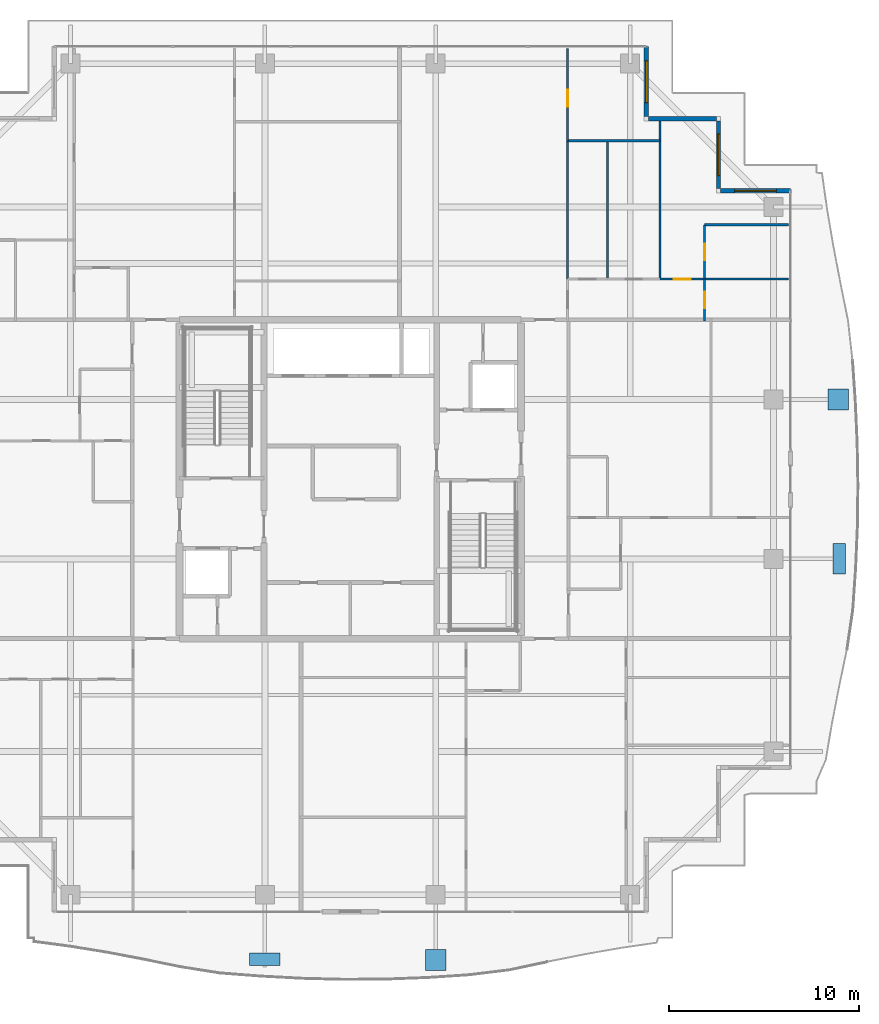
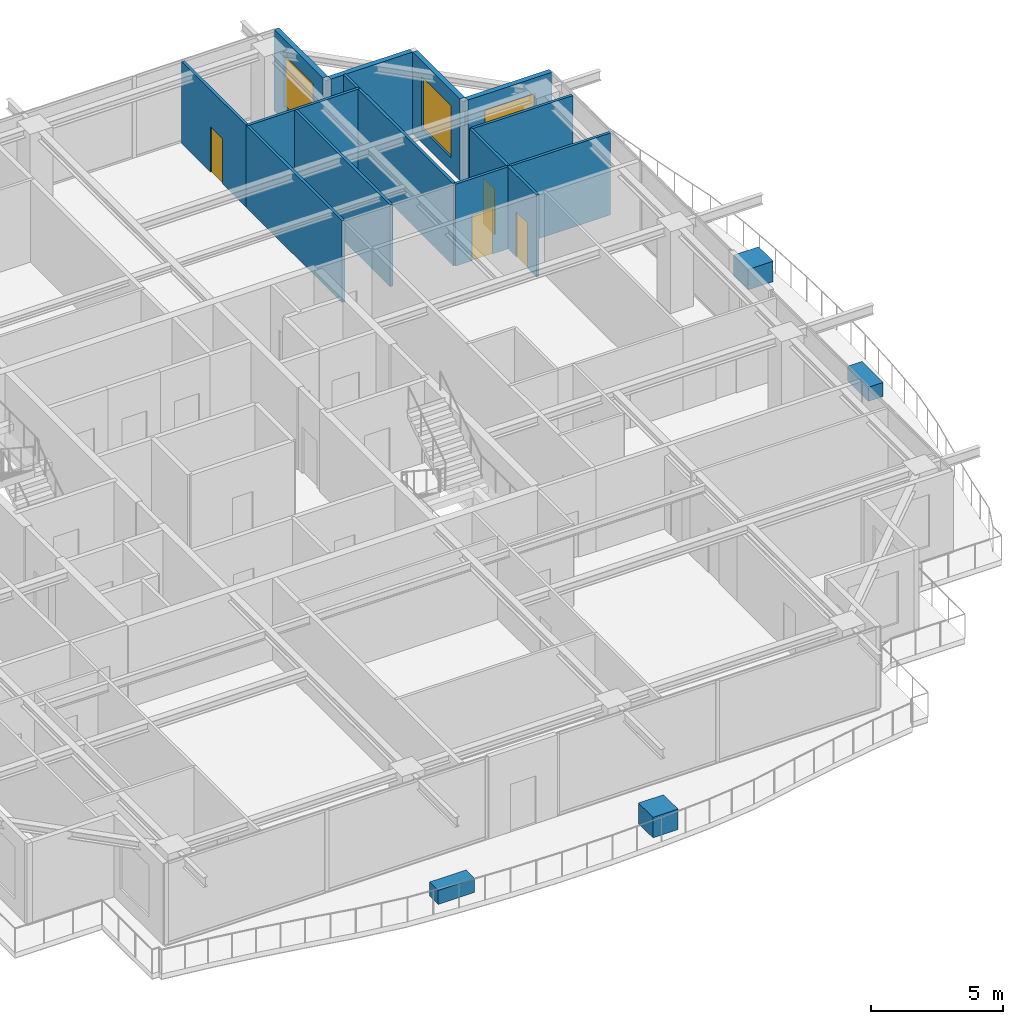
# One storey, part 35 of 42: 14 walls, 4 discrete accessories, 4 doors, 3 windows, 7 openings.
"""IFC4 building model written with IfcOpenShell, lengths in metres."""

import ifcopenshell
import ifcopenshell.guid

model = None  # the IFC model being written
_history = None  # IfcOwnerHistory: only IFC2X3 demands one
_inside = {}  # id of a spatial element -> (the spatial element, [elements in it])
_under = {}  # id of a project, library or spatial element -> (it, [spatial elements below it])
_declared = {}  # id of a project -> (the project, [libraries it declares])
_typed = {}  # id of a type object -> (the type object, [elements of that type])
_made_of = {}  # id of a material, layer set ... -> (it, [elements and type objects made of it])


def new_model(schema):
    """Start an empty IFC model of exactly this schema.

    Asked for "IFC4X3", IfcOpenShell would pick the latest addendum, in which some entities
    have other attributes; the version numbers below select the first issue.
    IFC2X3 requires an IfcOwnerHistory on every rooted entity: one is made here for all.
    """
    global model, _history
    if schema == "IFC4X3":
        model = ifcopenshell.file(schema_version=(4, 3, 0, 0))
    else:
        model = ifcopenshell.file(schema=schema)
    _inside.clear()
    _under.clear()
    _declared.clear()
    _typed.clear()
    _made_of.clear()
    _history = None
    if model.schema == "IFC2X3":
        org = make("IfcOrganization", Name="unknown")
        user = make(
            "IfcPersonAndOrganization",
            ThePerson=make("IfcPerson", FamilyName="unknown"),
            TheOrganization=org,
        )
        app = make(
            "IfcApplication",
            ApplicationDeveloper=org,
            Version="unknown",
            ApplicationFullName="unknown",
            ApplicationIdentifier="unknown",
        )
        _history = make(
            "IfcOwnerHistory",
            OwningUser=user,
            OwningApplication=app,
            ChangeAction="ADDED",
            CreationDate=0,
        )
    return model


def make(cls, **values):
    """One entity of the class cls with the attributes given. An attribute that is None is left unset."""
    return model.create_entity(
        cls, **{name: value for name, value in values.items() if value is not None}
    )


def rooted(cls, **values):
    """An entity with a GlobalId (a new one), such as an element, a storey or a relation."""
    return make(cls, GlobalId=ifcopenshell.guid.new(), OwnerHistory=_history, **values)


def si_unit(unit_type, name, prefix=None):
    """IfcSIUnit, for example si_unit("LENGTHUNIT", "METRE", prefix="MILLI")."""
    return make("IfcSIUnit", UnitType=unit_type, Prefix=prefix, Name=name)


def assignment(units):
    """IfcUnitAssignment: the units of a project."""
    return None if units is None else make("IfcUnitAssignment", Units=units)


def point(xyz):
    """IfcCartesianPoint."""
    return None if xyz is None else make("IfcCartesianPoint", Coordinates=xyz)


def direction(xyz):
    """IfcDirection."""
    return None if xyz is None else make("IfcDirection", DirectionRatios=xyz)


def frame(location, z_axis=None, x_axis=None):
    """IfcAxis2Placement3D, a coordinate frame: its origin and axes. An axis left out is left unset."""
    return make(
        "IfcAxis2Placement3D",
        Location=point(location),
        Axis=direction(z_axis),
        RefDirection=direction(x_axis),
    )


def frame_2d(location, x_axis=None):
    """IfcAxis2Placement2D, a coordinate frame in the plane: its origin and x axis."""
    return make(
        "IfcAxis2Placement2D", Location=point(location), RefDirection=direction(x_axis)
    )


def origin():
    """The frame at (0, 0, 0) with its axes left unset."""
    return frame((0.0, 0.0, 0.0))


def origin_2d():
    """The frame at (0, 0) in the plane with its x axis left unset."""
    return frame_2d((0.0, 0.0))


def place(relative_to, where):
    """IfcLocalPlacement: puts the frame where relative to a parent placement (None: the world)."""
    return make(
        "IfcLocalPlacement", PlacementRelTo=relative_to, RelativePlacement=where
    )


def context(
    kind, dimensions, precision=None, world=None, true_north=None, identifier=None
):
    """IfcGeometricRepresentationContext, for example the 3D "Model" context."""
    return make(
        "IfcGeometricRepresentationContext",
        ContextIdentifier=identifier,
        ContextType=kind,
        CoordinateSpaceDimension=dimensions,
        Precision=precision,
        WorldCoordinateSystem=world,
        TrueNorth=true_north,
    )


def subcontext(parent, identifier, kind, view, scale=None):
    """IfcGeometricRepresentationSubContext, for example "Body" below "Model"."""
    return make(
        "IfcGeometricRepresentationSubContext",
        ContextIdentifier=identifier,
        ContextType=kind,
        ParentContext=parent,
        TargetScale=scale,
        TargetView=view,
    )


def project(units=None, contexts=None):
    """IfcProject with its units and contexts."""
    return rooted(
        "IfcProject",
        Name="project",
        RepresentationContexts=contexts,
        UnitsInContext=assignment(units),
    )


def spatial(cls, under=None, at=None, **own):
    """A site, building, storey or space (cls), placed at a placement, below another one or the project."""
    s = rooted(cls, ObjectPlacement=at, **own)
    if under is not None:
        _under.setdefault(under.id(), (under, []))[1].append(s)
    return s


def profile(cls, at=None, kind="AREA", **sizes):
    """A parametric profile (cls). Its sizes go by their IFC names, for example OverallWidth=200.0."""
    return make(cls, ProfileType=kind, Position=at, **sizes)


def rectangle(**sizes):
    """IfcRectangleProfileDef."""
    return profile("IfcRectangleProfileDef", **sizes)


def extrude(swept, where, along, depth):
    """IfcExtrudedAreaSolid: the profile swept, set in the frame where, extruded along a direction by depth."""
    return make(
        "IfcExtrudedAreaSolid",
        SweptArea=swept,
        Position=where,
        ExtrudedDirection=direction(along),
        Depth=depth,
    )


def shape(context_of_items, identifier, shape_type, items):
    """IfcShapeRepresentation: the items that make up one representation, for example the "Body"."""
    return make(
        "IfcShapeRepresentation",
        ContextOfItems=context_of_items,
        RepresentationIdentifier=identifier,
        RepresentationType=shape_type,
        Items=items,
    )


def source(mapping_origin, context_of_items, identifier, shape_type, items):
    """IfcRepresentationMap: a shape defined once, which mapped items show again and again."""
    return make(
        "IfcRepresentationMap",
        MappingOrigin=mapping_origin,
        MappedRepresentation=shape(context_of_items, identifier, shape_type, items),
    )


def transform(
    local_origin,
    x_axis=None,
    y_axis=None,
    z_axis=None,
    scale=None,
    scale2=None,
    scale3=None,
    uniform=True,
):
    """IfcCartesianTransformationOperator3D, or its non-uniform kind. x_axis, y_axis, z_axis: its Axis1, 2, 3."""
    if uniform:
        return make(
            "IfcCartesianTransformationOperator3D",
            Axis1=direction(x_axis),
            Axis2=direction(y_axis),
            LocalOrigin=point(local_origin),
            Scale=scale,
            Axis3=direction(z_axis),
        )
    return make(
        "IfcCartesianTransformationOperator3DnonUniform",
        Axis1=direction(x_axis),
        Axis2=direction(y_axis),
        LocalOrigin=point(local_origin),
        Scale=scale,
        Axis3=direction(z_axis),
        Scale2=scale2,
        Scale3=scale3,
    )


def mapped(mapping_source, mapping_target):
    """IfcMappedItem: shows the shape of a source again, moved by a transform."""
    return make(
        "IfcMappedItem", MappingSource=mapping_source, MappingTarget=mapping_target
    )


def material(Name=None, Category=None):
    """IfcMaterial."""
    return make("IfcMaterial", Name=Name, Category=Category)


def layer(
    of_material, thickness, ventilated=None, Name=None, Category=None, Priority=None
):
    """IfcMaterialLayer: one layer of a wall or slab, of a material (None: an air gap)."""
    return make(
        "IfcMaterialLayer",
        Material=of_material,
        LayerThickness=thickness,
        IsVentilated=ventilated,
        Name=Name,
        Category=Category,
        Priority=Priority,
    )


def layer_set(layers, Name=None):
    """IfcMaterialLayerSet."""
    return make("IfcMaterialLayerSet", MaterialLayers=layers, LayerSetName=Name)


def made_of(thing, what):
    """Note that an element or type object is made of a material, layer set ...; save() writes the relation."""
    if what is not None:
        _made_of.setdefault(what.id(), (what, []))[1].append(thing)
    return thing


def type_object(cls, material=None, **own):
    """A type object (cls), such as IfcWallType, which elements share."""
    return made_of(rooted(cls, **own), material)


def element(
    cls,
    number,
    at=None,
    inside=None,
    cuts=None,
    type_object=None,
    material=None,
    context=None,
    identifier="Body",
    shape_type=None,
    held_by="IfcProductDefinitionShape",
    body=None,
    shapes=None,
    **own,
):
    """One element of the class cls, such as IfcWall. Its Tag is "e" and its number.

    at: its placement. inside: the storey or other place that contains it. cuts: it is an
    opening in that element (IfcRelVoidsElement). A single representation is given by context,
    identifier, shape_type and body (its items); several are given by shapes. held_by: the class
    of the entity that holds the representations. save() writes the other relations.
    """
    e = rooted(cls, Tag="e%d" % number, ObjectPlacement=at, **own)
    if body is not None:
        shapes = [shape(context, identifier, shape_type, body)]
    if shapes is not None:
        e.Representation = make(held_by, Representations=shapes)
    if inside is not None:
        _inside.setdefault(inside.id(), (inside, []))[1].append(e)
    if cuts is not None:
        rooted(
            "IfcRelVoidsElement", RelatingBuildingElement=cuts, RelatedOpeningElement=e
        )
    if type_object is not None:
        _typed.setdefault(type_object.id(), (type_object, []))[1].append(e)
    return made_of(e, material)


def fill(opening, filler):
    """IfcRelFillsElement: the door or window that sits in an opening."""
    return rooted(
        "IfcRelFillsElement",
        RelatingOpeningElement=opening,
        RelatedBuildingElement=filler,
    )


def aggregate(whole, parts):
    """IfcRelAggregates: a whole, such as a stair, and the parts it consists of."""
    return rooted("IfcRelAggregates", RelatingObject=whole, RelatedObjects=parts)


def save(model, path):
    """Write the relations noted so far, then the file.

    IfcRelAggregates (storeys below a building ...), IfcRelContainedInSpatialStructure (elements
    in a storey), IfcRelDefinesByType, IfcRelAssociatesMaterial and IfcRelDeclares: one each for
    every whole, place, type object, material and project.
    """
    for whole, parts in _under.values():
        aggregate(whole, parts)
    for where, things in _inside.values():
        rooted(
            "IfcRelContainedInSpatialStructure",
            RelatedElements=things,
            RelatingStructure=where,
        )
    for kind, things in _typed.values():
        rooted("IfcRelDefinesByType", RelatedObjects=things, RelatingType=kind)
    for what, things in _made_of.values():
        rooted("IfcRelAssociatesMaterial", RelatedObjects=things, RelatingMaterial=what)
    for by, libraries in _declared.values():
        rooted("IfcRelDeclares", RelatingContext=by, RelatedDefinitions=libraries)
    model.write(path)


model = new_model("IFC4")

# Units and contexts
model_context = context("Model", 3, precision=1e-05, world=origin(), true_north=direction((0.0, 1.0)))
body_context = subcontext(model_context, "Body", "Model", "MODEL_VIEW")
ifc_project = project(units=[si_unit("LENGTHUNIT", "METRE"), si_unit("AREAUNIT", "SQUARE_METRE"), si_unit("VOLUMEUNIT", "CUBIC_METRE"), si_unit("PLANEANGLEUNIT", "RADIAN"), si_unit("MASSUNIT", "GRAM", prefix="KILO")], contexts=[model_context])

# Site, building, storey
site_placement = place(None, origin())
site = spatial("IfcSite", under=ifc_project, at=site_placement, CompositionType="ELEMENT")
building_placement = place(site_placement, origin())
building = spatial("IfcBuilding", under=site, at=building_placement, Name="Serunith Strait Residences", CompositionType="ELEMENT")
storey_placement = place(building_placement, frame((0.0, 0.0, 297.5)))
storey = spatial("IfcBuildingStorey", under=building, at=storey_placement, Name="L74", CompositionType="ELEMENT", Elevation=297.5)

# Wall, opening, window
ifc_material_1 = material(Name="Pale-Champagne Aluminium Insulated Panel", Category="aluminium")
ifc_layer_1 = layer(ifc_material_1, 0.219970703125, Name="Pale-Champagne Aluminium Insulated Panel")
ifc_layer_set_1 = layer_set([ifc_layer_1], Name="Pale-Champagne Aluminium Insulated Panel")
wall_type_1 = type_object("IfcWallType", Name="EW-ALUM-220", PredefinedType="ELEMENTEDWALL", material=ifc_layer_set_1)
wall_1_placement = place(storey_placement, frame((55.60009765625, 40.39990234375, 0.0), z_axis=(0.0, 0.0, 1.0), x_axis=(-1.0, 0.0, 0.0)))
wall_1 = element("IfcWall", 1, at=wall_1_placement, inside=storey, type_object=wall_type_1, Name="L74 Girih Serrated Corner Wall 07", PredefinedType="ELEMENTEDWALL", context=body_context, shape_type="SweptSolid", body=[
    extrude(rectangle(XDim=3.690185546875, YDim=0.219970703125, at=frame_2d((1.84521484375, 0.0))), origin(), (0.0, 0.0, 1.0), 3.77490234375),
])
opening_1_placement = place(wall_1_placement, frame((0.7451171875, 0.0, 0.64990234375)))
opening_1 = element("IfcOpeningElement", 2, at=opening_1_placement, cuts=wall_1, Name="Opening W-06", PredefinedType="OPENING", context=body_context, shape_type="SweptSolid", body=[
    extrude(rectangle(XDim=2.199951171875, YDim=2.39990234375, at=frame_2d((1.10009765625, 1.199951171875))), frame((0.0, 0.1201171875, 0.0), z_axis=(0.0, -1.0, 0.0), x_axis=(1.0, 0.0, 0.0)), (0.0, 0.0, 1.0), 0.239990234375),
])
ifc_material_2 = material(Name="Crown Penthouse Low-E Operable Window Glass", Category="glass")
window_type = type_object("IfcWindowType", Name="WIN-C6", PartitioningType="TRIPLE_PANEL_VERTICAL", PredefinedType="WINDOW", material=ifc_material_2)
shared_shape_1 = source(origin(), body_context, "Body", "SweptSolid", [
    extrude(rectangle(XDim=2.199951171875, YDim=2.39990234375, at=frame_2d((1.10009765625, 1.199951171875))), frame((0.0, 0.030029296875, 0.0), z_axis=(0.0, -1.0, 0.0), x_axis=(1.0, 0.0, 0.0)), (0.0, 0.0, 1.0), 0.06005859375),
])
window_1_placement = place(opening_1_placement, origin())
window_1 = element("IfcWindow", 3, at=window_1_placement, inside=storey, type_object=window_type, Name="L74 Corner Operable Fritted Window 07", OverallHeight=2.39990234375, OverallWidth=2.199951171875, PartitioningType="SINGLE_PANEL", PredefinedType="WINDOW", context=body_context, shape_type="MappedRepresentation", body=[
    mapped(shared_shape_1, transform((0.0, 0.0, 0.0), scale=1.0)),
])
fill(opening_1, window_1)

wall_2_placement = place(storey_placement, frame((51.800048828125, 40.510009765625, 0.0), z_axis=(0.0, 0.0, 1.0), x_axis=(0.0, 1.0, 0.0)))
wall_2 = element("IfcWall", 4, at=wall_2_placement, inside=storey, type_object=wall_type_1, Name="L74 Girih Serrated Corner Wall 08", PredefinedType="ELEMENTEDWALL", context=body_context, shape_type="SweptSolid", body=[
    extrude(rectangle(XDim=3.580078125, YDim=0.219970703125, at=frame_2d((1.7900390625, 0.0))), origin(), (0.0, 0.0, 1.0), 3.77490234375),
])
opening_2_placement = place(wall_2_placement, frame((0.68994140625, 0.0, 0.64990234375)))
opening_2 = element("IfcOpeningElement", 5, at=opening_2_placement, cuts=wall_2, Name="Opening W-06", PredefinedType="OPENING", context=body_context, shape_type="SweptSolid", body=[
    extrude(rectangle(XDim=2.199951171875, YDim=2.39990234375, at=frame_2d((1.10009765625, 1.199951171875))), frame((0.0, 0.1201171875, 0.0), z_axis=(0.0, -1.0, 0.0), x_axis=(1.0, 0.0, 0.0)), (0.0, 0.0, 1.0), 0.239990234375),
])
window_2_placement = place(opening_2_placement, origin())
window_2 = element("IfcWindow", 6, at=window_2_placement, inside=storey, type_object=window_type, Name="L74 Corner Operable Fritted Window 08", OverallHeight=2.39990234375, OverallWidth=2.199951171875, PartitioningType="SINGLE_PANEL", PredefinedType="WINDOW", context=body_context, shape_type="MappedRepresentation", body=[
    mapped(shared_shape_1, transform((0.0, 0.0, 0.0), scale=1.0)),
])
fill(opening_2, window_2)

# Wall
wall_3_placement = place(storey_placement, frame((51.68994140625, 44.199951171875, 0.0), z_axis=(0.0, 0.0, 1.0), x_axis=(-1.0, 0.0, 0.0)))
element("IfcWall", 7, at=wall_3_placement, inside=storey, type_object=wall_type_1, Name="L74 Girih Serrated Corner Wall 09", PredefinedType="ELEMENTEDWALL", context=body_context, shape_type="SweptSolid", body=[
    extrude(rectangle(XDim=3.579833984375, YDim=0.219970703125, at=frame_2d((1.7900390625, 0.0))), origin(), (0.0, 0.0, 1.0), 3.77490234375),
])

# Wall, opening, window
wall_4_placement = place(storey_placement, frame((48.0, 44.31005859375, 0.0), z_axis=(0.0, 0.0, 1.0), x_axis=(0.0, 1.0, 0.0)))
wall_4 = element("IfcWall", 8, at=wall_4_placement, inside=storey, type_object=wall_type_1, Name="L74 Girih Serrated Corner Wall 10", PredefinedType="ELEMENTEDWALL", context=body_context, shape_type="SweptSolid", body=[
    extrude(rectangle(XDim=3.68994140625, YDim=0.219970703125, at=frame_2d((1.844970703125, 0.0))), origin(), (0.0, 0.0, 1.0), 3.77490234375),
])
opening_3_placement = place(wall_4_placement, frame((0.7451171875, 0.0, 0.64990234375)))
opening_3 = element("IfcOpeningElement", 9, at=opening_3_placement, cuts=wall_4, Name="Opening W-06", PredefinedType="OPENING", context=body_context, shape_type="SweptSolid", body=[
    extrude(rectangle(XDim=2.199951171875, YDim=2.39990234375, at=frame_2d((1.10009765625, 1.199951171875))), frame((0.0, 0.1201171875, 0.0), z_axis=(0.0, -1.0, 0.0), x_axis=(1.0, 0.0, 0.0)), (0.0, 0.0, 1.0), 0.239990234375),
])
window_3_placement = place(opening_3_placement, origin())
window_3 = element("IfcWindow", 10, at=window_3_placement, inside=storey, type_object=window_type, Name="L74 Corner Operable Fritted Window 10", OverallHeight=2.39990234375, OverallWidth=2.199951171875, PartitioningType="SINGLE_PANEL", PredefinedType="WINDOW", context=body_context, shape_type="MappedRepresentation", body=[
    mapped(shared_shape_1, transform((0.0, 0.0, 0.0), scale=1.0)),
])
fill(opening_3, window_3)

# Wall, opening, door
ifc_material_3 = material(Name="Lightweight steel-stud gypsum partition", Category="steel")
ifc_layer_2 = layer(ifc_material_3, 0.1201171875, Name="Lightweight steel-stud gypsum partition")
ifc_layer_set_2 = layer_set([ifc_layer_2], Name="Lightweight steel-stud gypsum partition")
wall_type_2 = type_object("IfcWallType", Name="IW-PART-120", PredefinedType="PARTITIONING", material=ifc_layer_set_2)
wall_5_placement = place(storey_placement, frame((43.85009765625, 47.905029296875, 0.0), z_axis=(0.0, 0.0, 1.0), x_axis=(0.0, -1.0, 0.0)))
wall_5 = element("IfcWall", 11, at=wall_5_placement, inside=storey, type_object=wall_type_2, Name="L74 Partition Wall 070", PredefinedType="PARTITIONING", context=body_context, shape_type="SweptSolid", body=[
    extrude(rectangle(XDim=4.867919921875, YDim=0.1201171875, at=frame_2d((2.43408203125, 0.0))), origin(), (0.0, 0.0, 1.0), 3.7900390625),
])
opening_4_placement = place(wall_5_placement, frame((2.181884765625, 0.0, 0.0)))
opening_4 = element("IfcOpeningElement", 12, at=opening_4_placement, cuts=wall_5, Name="Opening D-RM900", PredefinedType="OPENING", context=body_context, shape_type="SweptSolid", body=[
    extrude(rectangle(XDim=0.89990234375, YDim=2.10009765625, at=frame_2d((0.449951171875, 1.050048828125))), frame((0.0, 0.070068359375, 0.0), z_axis=(0.0, -1.0, 0.0), x_axis=(1.0, 0.0, 0.0)), (0.0, 0.0, 1.0), 0.14013671875),
])
ifc_material_4 = material(Name="Engineered timber flush bedroom door", Category="wood")
door_type_1 = type_object("IfcDoorType", Name="ID-ROOM-900", OperationType="NOTDEFINED", PredefinedType="DOOR", material=ifc_material_4)
shared_shape_2 = source(origin(), body_context, "Body", "SweptSolid", [
    extrude(rectangle(XDim=0.89990234375, YDim=2.10009765625, at=frame_2d((0.449951171875, 1.050048828125))), frame((0.0, 0.02490234375, 0.0), z_axis=(0.0, -1.0, 0.0), x_axis=(1.0, 0.0, 0.0)), (0.0, 0.0, 1.0), 0.050048828125),
])
door_1_placement = place(opening_4_placement, origin())
door_1 = element("IfcDoor", 13, at=door_1_placement, inside=storey, type_object=door_type_1, Name="L74 Study 1 7404 Door", OperationType="SINGLE_SWING_RIGHT", OverallHeight=2.10009765625, OverallWidth=0.89990234375, PredefinedType="DOOR", context=body_context, shape_type="MappedRepresentation", body=[
    mapped(shared_shape_2, transform((0.0, 0.0, 0.0), scale=1.0)),
])
fill(opening_4, door_1)

# Walls
wall_6_placement = place(storey_placement, frame((43.85009765625, 43.034912109375, 0.0), z_axis=(0.0, 0.0, 1.0), x_axis=(0.0, -1.0, 0.0)))
element("IfcWall", 14, at=wall_6_placement, inside=storey, type_object=wall_type_2, Name="L74 Partition Wall 071", PredefinedType="PARTITIONING", context=body_context, shape_type="SweptSolid", body=[
    extrude(rectangle(XDim=7.282958984375, YDim=0.1201171875, at=frame_2d((3.6416015625, 0.0))), origin(), (0.0, 0.0, 1.0), 3.7900390625),
])
wall_7_placement = place(storey_placement, frame((43.85009765625, 43.037109375, 0.0), z_axis=(0.0, 0.0, 1.0), x_axis=(1.0, 0.0, 0.0)))
element("IfcWall", 15, at=wall_7_placement, inside=storey, type_object=wall_type_2, Name="L74 Partition Wall 072", PredefinedType="PARTITIONING", context=body_context, shape_type="SweptSolid", body=[
    extrude(rectangle(XDim=4.869873046875, YDim=0.1201171875, at=frame_2d((2.43505859375, 0.0))), origin(), (0.0, 0.0, 1.0), 3.7900390625),
])
wall_8_placement = place(storey_placement, frame((48.719970703125, 44.10498046875, 0.0), z_axis=(0.0, 0.0, 1.0), x_axis=(0.0, -1.0, 0.0)))
element("IfcWall", 16, at=wall_8_placement, inside=storey, type_object=wall_type_2, Name="L74 Partition Wall 073", PredefinedType="PARTITIONING", context=body_context, shape_type="SweptSolid", body=[
    extrude(rectangle(XDim=8.35498046875, YDim=0.1201171875, at=frame_2d((4.177490234375, 0.0))), origin(), (0.0, 0.0, 1.0), 3.7900390625),
])
wall_9_placement = place(storey_placement, frame((45.949951171875, 43.037109375, 0.0), z_axis=(0.0, 0.0, 1.0), x_axis=(0.0, -1.0, 0.0)))
element("IfcWall", 17, at=wall_9_placement, inside=storey, type_object=wall_type_2, Name="L74 Partition Wall 074", PredefinedType="PARTITIONING", context=body_context, shape_type="SweptSolid", body=[
    extrude(rectangle(XDim=7.287109375, YDim=0.1201171875, at=frame_2d((3.6435546875, 0.0))), origin(), (0.0, 0.0, 1.0), 3.7900390625),
])

# Wall, opening, door
wall_10_placement = place(storey_placement, frame((48.721923828125, 35.75, 0.0), z_axis=(0.0, 0.0, 1.0), x_axis=(1.0, 0.0, 0.0)))
wall_10 = element("IfcWall", 18, at=wall_10_placement, inside=storey, type_object=wall_type_2, Name="L74 Partition Wall 077", PredefinedType="PARTITIONING", context=body_context, shape_type="SweptSolid", body=[
    extrude(rectangle(XDim=2.34814453125, YDim=0.1201171875, at=frame_2d((1.174072265625, 0.0))), origin(), (0.0, 0.0, 1.0), 3.7900390625),
])
opening_5_placement = place(wall_10_placement, frame((0.72412109375, 0.0, 0.0)))
opening_5 = element("IfcOpeningElement", 19, at=opening_5_placement, cuts=wall_10, Name="Opening D-RM900", PredefinedType="OPENING", context=body_context, shape_type="SweptSolid", body=[
    extrude(rectangle(XDim=0.89990234375, YDim=2.10009765625, at=frame_2d((0.449951171875, 1.050048828125))), frame((0.0, 0.070068359375, 0.0), z_axis=(0.0, -1.0, 0.0), x_axis=(1.0, 0.0, 0.0)), (0.0, 0.0, 1.0), 0.14013671875),
])
door_2_placement = place(opening_5_placement, origin())
door_2 = element("IfcDoor", 20, at=door_2_placement, inside=storey, type_object=door_type_1, Name="L74 Master Bedroom E 7404 Door", OperationType="SINGLE_SWING_LEFT", OverallHeight=2.10009765625, OverallWidth=0.89990234375, PredefinedType="DOOR", context=body_context, shape_type="MappedRepresentation", body=[
    mapped(shared_shape_2, transform((0.0, 0.0, 0.0), scale=1.0)),
])
fill(opening_5, door_2)

# Walls
wall_11_placement = place(storey_placement, frame((51.070068359375, 38.60595703125, 0.0), z_axis=(0.0, 0.0, 1.0), x_axis=(1.0, 0.0, 0.0)))
element("IfcWall", 21, at=wall_11_placement, inside=storey, type_object=wall_type_2, Name="L74 Partition Wall 078", PredefinedType="PARTITIONING", context=body_context, shape_type="SweptSolid", body=[
    extrude(rectangle(XDim=4.434814453125, YDim=0.1201171875, at=frame_2d((2.21728515625, 0.0))), origin(), (0.0, 0.0, 1.0), 3.7900390625),
])
wall_12_placement = place(storey_placement, frame((51.072021484375, 35.75, 0.0), z_axis=(0.0, 0.0, 1.0), x_axis=(1.0, 0.0, 0.0)))
element("IfcWall", 22, at=wall_12_placement, inside=storey, type_object=wall_type_2, Name="L74 Partition Wall 079", PredefinedType="PARTITIONING", context=body_context, shape_type="SweptSolid", body=[
    extrude(rectangle(XDim=4.432861328125, YDim=0.1201171875, at=frame_2d((2.21630859375, 0.0))), origin(), (0.0, 0.0, 1.0), 3.7900390625),
])

# Wall, opening, door
wall_13_placement = place(storey_placement, frame((51.070068359375, 38.60595703125, 0.0), z_axis=(0.0, 0.0, 1.0), x_axis=(0.0, -1.0, 0.0)))
wall_13 = element("IfcWall", 23, at=wall_13_placement, inside=storey, type_object=wall_type_2, Name="L74 Partition Wall 080", PredefinedType="PARTITIONING", context=body_context, shape_type="SweptSolid", body=[
    extrude(rectangle(XDim=2.85595703125, YDim=0.1201171875, at=frame_2d((1.427978515625, 0.0))), origin(), (0.0, 0.0, 1.0), 3.7900390625),
])
opening_6_placement = place(wall_13_placement, frame((1.0029296875, 0.0, 0.0)))
opening_6 = element("IfcOpeningElement", 24, at=opening_6_placement, cuts=wall_13, Name="Opening D-BTH850", PredefinedType="OPENING", context=body_context, shape_type="SweptSolid", body=[
    extrude(rectangle(XDim=0.85009765625, YDim=2.10009765625, at=frame_2d((0.425048828125, 1.050048828125))), frame((0.0, 0.070068359375, 0.0), z_axis=(0.0, -1.0, 0.0), x_axis=(1.0, 0.0, 0.0)), (0.0, 0.0, 1.0), 0.14013671875),
])
ifc_material_5 = material(Name="Moisture-resistant timber bathroom door", Category="wood")
door_type_2 = type_object("IfcDoorType", Name="ID-BATH-850", OperationType="NOTDEFINED", PredefinedType="DOOR", material=ifc_material_5)
shared_shape_3 = source(origin(), body_context, "Body", "SweptSolid", [
    extrude(rectangle(XDim=0.85009765625, YDim=2.10009765625, at=frame_2d((0.425048828125, 1.050048828125))), frame((0.0, 0.02490234375, 0.0), z_axis=(0.0, -1.0, 0.0), x_axis=(1.0, 0.0, 0.0)), (0.0, 0.0, 1.0), 0.050048828125),
])
door_3_placement = place(opening_6_placement, origin())
door_3 = element("IfcDoor", 25, at=door_3_placement, inside=storey, type_object=door_type_2, Name="L74 En-suite Bathroom E 7404 Door", OperationType="SINGLE_SWING_RIGHT", OverallHeight=2.10009765625, OverallWidth=0.85009765625, PredefinedType="DOOR", context=body_context, shape_type="MappedRepresentation", body=[
    mapped(shared_shape_3, transform((0.0, 0.0, 0.0), scale=1.0)),
])
fill(opening_6, door_3)

wall_14_placement = place(storey_placement, frame((51.070068359375, 35.748046875, 0.0), z_axis=(0.0, 0.0, 1.0), x_axis=(0.0, -1.0, 0.0)))
wall_14 = element("IfcWall", 26, at=wall_14_placement, inside=storey, type_object=wall_type_2, Name="L74 Partition Wall 081", PredefinedType="PARTITIONING", context=body_context, shape_type="SweptSolid", body=[
    extrude(rectangle(XDim=2.2080078125, YDim=0.1201171875, at=frame_2d((1.10400390625, 0.0))), origin(), (0.0, 0.0, 1.0), 3.7900390625),
])
opening_7_placement = place(wall_14_placement, frame((0.678955078125, 0.0, 0.0)))
opening_7 = element("IfcOpeningElement", 27, at=opening_7_placement, cuts=wall_14, Name="Opening D-RM850", PredefinedType="OPENING", context=body_context, shape_type="SweptSolid", body=[
    extrude(rectangle(XDim=0.85009765625, YDim=2.10009765625, at=frame_2d((0.425048828125, 1.050048828125))), frame((0.0, 0.070068359375, 0.0), z_axis=(0.0, -1.0, 0.0), x_axis=(1.0, 0.0, 0.0)), (0.0, 0.0, 1.0), 0.14013671875),
])
ifc_material_6 = material(Name="Engineered timber flush study and kitchen door", Category="wood")
door_type_3 = type_object("IfcDoorType", Name="ID-ROOM-850", OperationType="NOTDEFINED", PredefinedType="DOOR", material=ifc_material_6)
door_4_placement = place(opening_7_placement, origin())
door_4 = element("IfcDoor", 28, at=door_4_placement, inside=storey, type_object=door_type_3, Name="L74 Wardrobe E 7404 Door", OperationType="SINGLE_SWING_LEFT", OverallHeight=2.10009765625, OverallWidth=0.85009765625, PredefinedType="DOOR", context=body_context, shape_type="MappedRepresentation", body=[
    mapped(shared_shape_3, transform((0.0, 0.0, 0.0), scale=1.0)),
])
fill(opening_7, door_4)

# Discrete accessories
ifc_material_7 = material(Name="GFRC Root-Anchored Structural Planter")
discrete_accessory_type_1 = type_object("IfcDiscreteAccessoryType", Name="ACC-PLANTER-TREE", PredefinedType="USERDEFINED", material=ifc_material_7)
shared_shape_4 = source(origin(), body_context, "Body", "SweptSolid", [
    extrude(rectangle(XDim=1.10009765625, YDim=1.10009765625, at=origin_2d()), origin(), (0.0, 0.0, 1.0), 0.949951171875),
])
for number, where, z_axis, x_axis, name in (
    (29, (36.89990234375, -0.1435546875, -0.0498046875), (0.0, 0.0, 1.0), (1.0, 0.0, 0.0), "L74 Vertical-Forest Tree Planter 03"),
    (30, (58.11865234375, 29.39990234375, -0.0498046875), (0.0, 0.0, 1.0), (0.0, 1.0, 0.0), "L74 Vertical-Forest Tree Planter 11"),
):
    element("IfcDiscreteAccessory", number, at=place(storey_placement, frame(where, z_axis=z_axis, x_axis=x_axis)), inside=storey, type_object=discrete_accessory_type_1, Name=name, ObjectType="PLANTER", PredefinedType="USERDEFINED", context=body_context, shape_type="MappedRepresentation", body=[
        mapped(shared_shape_4, transform((0.0, 0.0, 0.0), scale=1.0)),
    ])
ifc_material_8 = material(Name="GFRC Irrigated Shrub Trough Planter")
discrete_accessory_type_2 = type_object("IfcDiscreteAccessoryType", Name="ACC-PLANTER-SHRUB", PredefinedType="USERDEFINED", material=ifc_material_8)
shared_shape_5 = source(origin(), body_context, "Body", "SweptSolid", [
    extrude(rectangle(XDim=1.60009765625, YDim=0.64990234375, at=origin_2d()), origin(), (0.0, 0.0, 1.0), 0.64990234375),
])
for number, where, z_axis, x_axis, name in (
    (31, (27.89990234375, -0.108154296875, -0.050048828125), (0.0, 0.0, 1.0), (1.0, 0.0, 0.0), "L74 Vertical-Forest Shrub Planter 02"),
    (32, (58.16259765625, 21.0, -0.050048828125), (0.0, 0.0, 1.0), (0.0, 1.0, 0.0), "L74 Vertical-Forest Shrub Planter 10"),
):
    element("IfcDiscreteAccessory", number, at=place(storey_placement, frame(where, z_axis=z_axis, x_axis=x_axis)), inside=storey, type_object=discrete_accessory_type_2, Name=name, ObjectType="PLANTER", PredefinedType="USERDEFINED", context=body_context, shape_type="MappedRepresentation", body=[
        mapped(shared_shape_5, transform((0.0, 0.0, 0.0), scale=1.0)),
    ])

save(model, "model.ifc")
